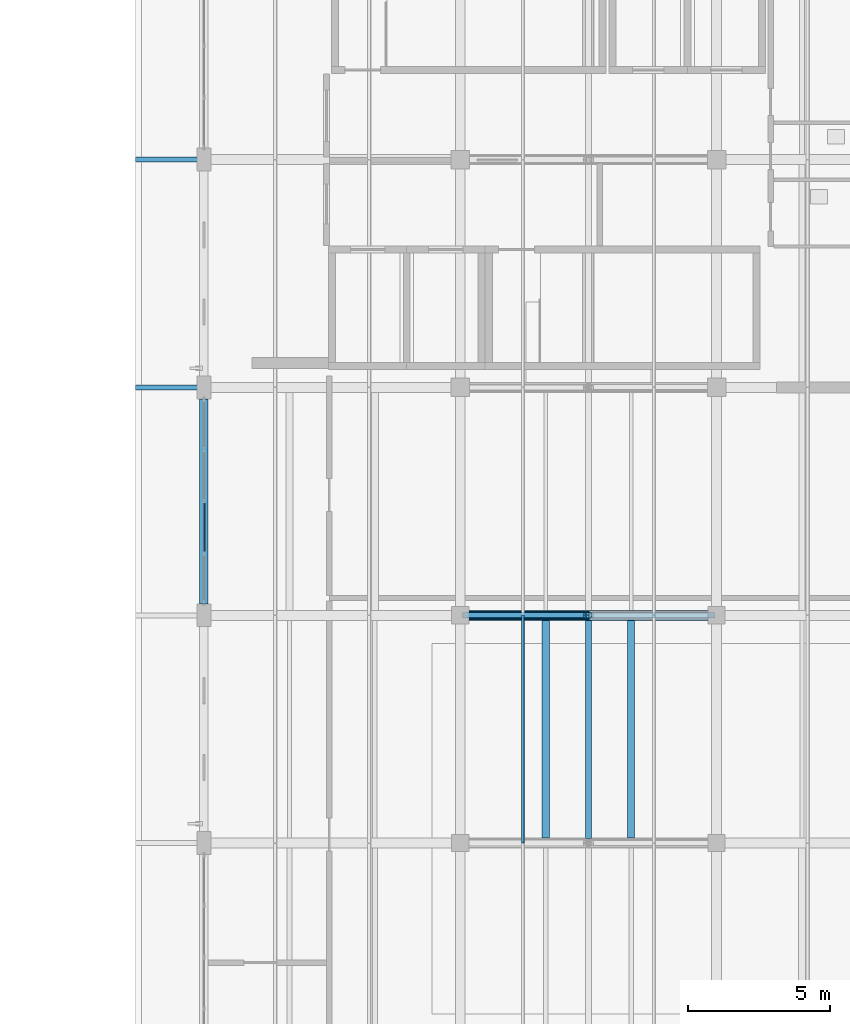
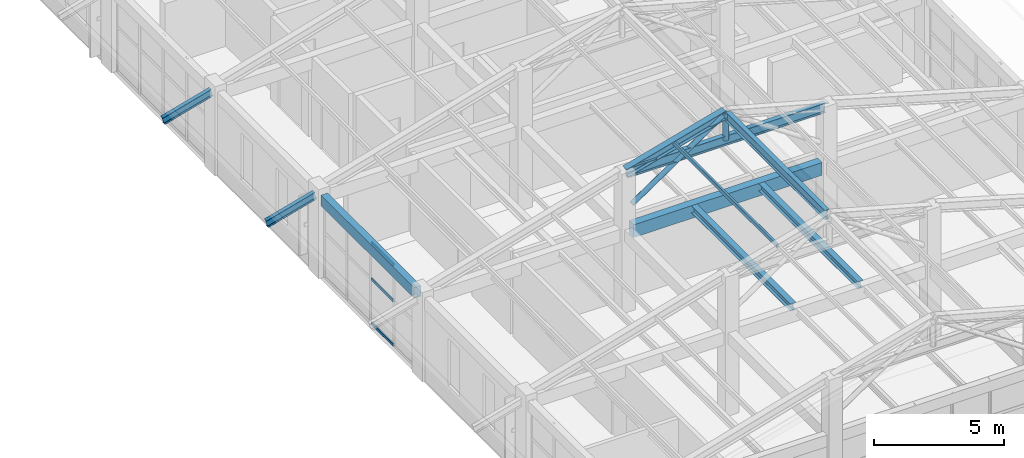
# One storey, part 15 of 58: 8 beams, 7 members, 1 element without a shape of its own.
"""IFC4 building model written with IfcOpenShell, lengths in metres."""

from ifc_helpers import new_model, si_unit, derived_unit, direction, frame, origin, origin_2d, place, context, subcontext, project, spatial, rectangle, hollow_rectangle, hollow_circle, i_section, extrude, material, material_profile, profile_set, type_object, element, aggregate, save


model = new_model("IFC4")

# Units and contexts
model_context = context("Model", 3, precision=1e-05, world=origin(), true_north=direction((0.0, 1.0)))
body_context = subcontext(model_context, "Body", "Model", "MODEL_VIEW")
ifc_project = project(units=[si_unit("LENGTHUNIT", "METRE"), si_unit("AREAUNIT", "SQUARE_METRE"), si_unit("VOLUMEUNIT", "CUBIC_METRE"), si_unit("PLANEANGLEUNIT", "RADIAN"), si_unit("MASSUNIT", "GRAM", prefix="KILO"), derived_unit("THERMALTRANSMITTANCEUNIT", [(si_unit("MASSUNIT", "GRAM", prefix="KILO"), 1), (si_unit("TIMEUNIT", "SECOND"), -3), (si_unit("THERMODYNAMICTEMPERATUREUNIT", "KELVIN"), -1)])], contexts=[model_context])

# Site, building, storey
site_placement = place(None, origin())
site = spatial("IfcSite", under=ifc_project, at=site_placement, CompositionType="ELEMENT")
building_placement = place(site_placement, origin())
building = spatial("IfcBuilding", under=site, at=building_placement, Name="Zhenchuan Archway Interchange", CompositionType="ELEMENT")
storey_placement = place(building_placement, frame((0.0, 0.0, 22.800048828125)))
storey = spatial("IfcBuildingStorey", under=building, at=storey_placement, Name="L05", CompositionType="ELEMENT", Elevation=22.800048828125)

# Beams
ifc_material_1 = material(Name="Concrete C40", Category="concrete")
ifc_material_profile_1 = material_profile(ifc_material_1, rectangle(XDim=0.35009765625, YDim=0.60009765625, at=origin_2d()), Name="RC 350x600")
ifc_profile_set_1 = profile_set([ifc_material_profile_1], Name="Concrete C40")
beam_type_1 = type_object("IfcBeamType", Name="BM_RC_350x600", PredefinedType="BEAM", material=ifc_profile_set_1)
beam_1_placement = place(storey_placement, frame((153.300048828125, 40.0, 3.619873046875), z_axis=(1.0, 0.0, 0.0), x_axis=(0.0, 1.0, 0.0)))
element("IfcBeam", 1, at=beam_1_placement, inside=storey, type_object=beam_type_1, Name="Beam F:18-19 (L05)", PredefinedType="BEAM", context=body_context, shape_type="SweptSolid", body=[
    extrude(rectangle(XDim=0.35009765625, YDim=0.60009765625, at=origin_2d()), origin(), (0.0, 0.0, 1.0), 8.39990234375),
])
ifc_material_2 = material(Name="Steel Q355", Category="steel")
ifc_material_profile_2 = material_profile(ifc_material_2, i_section(OverallWidth=0.175048828125, OverallDepth=0.35009765625, WebThickness=0.007080078125, FlangeThickness=0.010986328125, FilletRadius=0.013916015625, at=origin_2d()), Name="HN 350x175")
ifc_profile_set_2 = profile_set([ifc_material_profile_2], Name="Steel Q355")
beam_type_2 = type_object("IfcBeamType", Name="BM_STL_EAVE_HN350", PredefinedType="BEAM", material=ifc_profile_set_2)
for number, where, z_axis, x_axis, name in (
    (2, (143.820068359375, 48.0, 3.719970703125), (-0.963829493521, 0.0, -0.266519619201), (0.0, -1.0, 0.0), "Command wing west storm-eave bracket T4"),
    (3, (143.820068359375, 56.0, 3.719970703125), (-0.963829493521, 0.0, -0.266519619201), (0.0, -1.0, 0.0), "Command wing west storm-eave bracket T5"),
):
    element("IfcBeam", number, at=place(storey_placement, frame(where, z_axis=z_axis, x_axis=x_axis)), inside=storey, type_object=beam_type_2, Name=name, PredefinedType="BEAM", context=body_context, shape_type="SweptSolid", body=[
        extrude(i_section(OverallWidth=0.175048828125, OverallDepth=0.35009765625, WebThickness=0.007080078125, FlangeThickness=0.010986328125, FilletRadius=0.013916015625, at=origin_2d()), origin(), (0.0, 0.0, 1.0), 2.251708984375),
    ])
ifc_material_profile_3 = material_profile(ifc_material_2, i_section(OverallWidth=0.300048828125, OverallDepth=0.389892578125, WebThickness=0.010009765625, FlangeThickness=0.01611328125, FilletRadius=0.02001953125, at=origin_2d()), Name="HM 390x300")
ifc_profile_set_3 = profile_set([ifc_material_profile_3], Name="Steel Q355")
beam_type_3 = type_object("IfcBeamType", Name="BM_STL_HM390", PredefinedType="BEAM", material=ifc_profile_set_3)
beam_2_placement = place(storey_placement, frame((153.050048828125, 40.0, 6.419921875), z_axis=(0.964108539649, 0.0, 0.265508425055), x_axis=(0.0, 1.0, 0.0)))
element("IfcBeam", 4, at=beam_2_placement, inside=storey, type_object=beam_type_3, Name="ROOF TRUSS command wing T3 west apex rafter", PredefinedType="BEAM", context=body_context, shape_type="SweptSolid", body=[
    extrude(i_section(OverallWidth=0.300048828125, OverallDepth=0.389892578125, WebThickness=0.010009765625, FlangeThickness=0.01611328125, FilletRadius=0.02001953125, at=origin_2d()), origin(), (0.0, 0.0, 1.0), 4.5947265625),
])
ifc_material_profile_4 = material_profile(ifc_material_2, i_section(OverallWidth=0.199951171875, OverallDepth=0.449951171875, WebThickness=0.009033203125, FlangeThickness=0.013916015625, FilletRadius=0.01806640625, at=origin_2d()), Name="HN 450x200")
ifc_profile_set_4 = profile_set([ifc_material_profile_4], Name="Steel Q355")
beam_type_4 = type_object("IfcBeamType", Name="BM_STL_HN450", PredefinedType="BEAM", material=ifc_profile_set_4)
beam_3_placement = place(storey_placement, frame((157.5, 32.159912109375, 7.579833984375), z_axis=(0.0, 1.0, 0.0), x_axis=(-1.0, 0.0, 0.0)))
element("IfcBeam", 5, at=beam_3_placement, inside=storey, type_object=beam_type_4, Name="Command wing ridge girder 2", PredefinedType="BEAM", context=body_context, shape_type="SweptSolid", body=[
    extrude(i_section(OverallWidth=0.199951171875, OverallDepth=0.449951171875, WebThickness=0.009033203125, FlangeThickness=0.013916015625, FilletRadius=0.01806640625, at=origin_2d()), origin(), (0.0, 0.0, 1.0), 7.68017578125),
])

# Curtain wall, members
ifc_material_3 = material(Name="Anodised Aluminium", Category="aluminium")
curtain_wall_type = type_object("IfcCurtainWallType", Name="CW_UNIT_3", PredefinedType="NOTDEFINED", material=ifc_material_3)
curtain_wall_placement = place(storey_placement, origin())
curtain_wall = element("IfcCurtainWall", 6, at=curtain_wall_placement, inside=storey, type_object=curtain_wall_type, Name="Unitised curtain wall CW:L05:202", PredefinedType="NOTDEFINED")
ifc_material_profile_5 = material_profile(ifc_material_3, hollow_rectangle(XDim=0.06005859375, YDim=0.139892578125, WallThickness=0.00341796875, InnerFilletRadius=0.00341796875, OuterFilletRadius=0.007080078125, at=origin_2d()), Name="ALU 140x60x3.5")
ifc_profile_set_5 = profile_set([ifc_material_profile_5], Name="Anodised Aluminium")
member_type_1 = type_object("IfcMemberType", Name="CW_TRN_140", PredefinedType="USERDEFINED", material=ifc_profile_set_5)
member_1_placement = place(storey_placement, frame((144.0, 42.243896484375, 0.06005859375), z_axis=(0.0, 1.0, 0.0), x_axis=(-1.0, 0.0, 0.0)))
member_1 = element("IfcMember", 7, at=member_1_placement, type_object=member_type_1, Name="CW:L05:202 transom 1-1", ObjectType="TRANSOM", PredefinedType="USERDEFINED", context=body_context, shape_type="SweptSolid", body=[
    extrude(hollow_rectangle(XDim=0.06005859375, YDim=0.139892578125, WallThickness=0.00341796875, InnerFilletRadius=0.00341796875, OuterFilletRadius=0.007080078125, at=origin_2d()), origin(), (0.0, 0.0, 1.0), 1.696044921875),
])
member_2_placement = place(storey_placement, frame((144.0, 42.243896484375, 2.14501953125), z_axis=(0.0, 1.0, 0.0), x_axis=(-1.0, 0.0, 0.0)))
member_2 = element("IfcMember", 8, at=member_2_placement, type_object=member_type_1, Name="CW:L05:202 transom 1-2", ObjectType="TRANSOM", PredefinedType="USERDEFINED", context=body_context, shape_type="SweptSolid", body=[
    extrude(hollow_rectangle(XDim=0.06005859375, YDim=0.139892578125, WallThickness=0.00341796875, InnerFilletRadius=0.00341796875, OuterFilletRadius=0.007080078125, at=origin_2d()), origin(), (0.0, 0.0, 1.0), 1.696044921875),
])
member_3_placement = place(storey_placement, frame((144.0, 42.243896484375, 3.83984375), z_axis=(0.0, 1.0, 0.0), x_axis=(-1.0, 0.0, 0.0)))
member_3 = element("IfcMember", 9, at=member_3_placement, type_object=member_type_1, Name="CW:L05:202 transom 1-3", ObjectType="TRANSOM", PredefinedType="USERDEFINED", context=body_context, shape_type="SweptSolid", body=[
    extrude(hollow_rectangle(XDim=0.06005859375, YDim=0.139892578125, WallThickness=0.00341796875, InnerFilletRadius=0.00341796875, OuterFilletRadius=0.007080078125, at=origin_2d()), origin(), (0.0, 0.0, 1.0), 1.696044921875),
])
aggregate(curtain_wall, [member_1, member_2, member_3])

# Beams
ifc_material_profile_6 = material_profile(ifc_material_2, i_section(OverallWidth=0.25, OverallDepth=0.340087890625, WebThickness=0.009033203125, FlangeThickness=0.013916015625, FilletRadius=0.01806640625, at=origin_2d()), Name="HM 340x250")
ifc_profile_set_6 = profile_set([ifc_material_profile_6], Name="Steel Q355")
beam_type_5 = type_object("IfcBeamType", Name="JST_STL_HM340", PredefinedType="JOIST", material=ifc_profile_set_6)
for number, where, z_axis, x_axis, name in (
    (10, (156.0, 32.175048828125, 3.75), (0.0, 1.0, 0.0), (-1.0, 0.0, 0.0), "Secondary joist 18-19/E-F #1 (L05)"),
    (11, (159.0, 32.175048828125, 3.75), (0.0, 1.0, 0.0), (-1.0, 0.0, 0.0), "Secondary joist 18-19/E-F #2 (L05)"),
):
    element("IfcBeam", number, at=place(storey_placement, frame(where, z_axis=z_axis, x_axis=x_axis)), inside=storey, type_object=beam_type_5, Name=name, PredefinedType="JOIST", context=body_context, shape_type="SweptSolid", body=[
        extrude(i_section(OverallWidth=0.25, OverallDepth=0.340087890625, WebThickness=0.009033203125, FlangeThickness=0.013916015625, FilletRadius=0.01806640625, at=origin_2d()), origin(), (0.0, 0.0, 1.0), 7.64990234375),
    ])

# Members
ifc_material_profile_7 = material_profile(ifc_material_2, i_section(OverallWidth=0.199951171875, OverallDepth=0.449951171875, WebThickness=0.009033203125, FlangeThickness=0.013916015625, FilletRadius=0.01806640625, at=origin_2d()), Name="HN 450x200")
ifc_profile_set_7 = profile_set([ifc_material_profile_7], Name="Steel Q355")
member_type_2 = type_object("IfcMemberType", Name="MB_CHD_HN450", PredefinedType="CHORD", material=ifc_profile_set_7)
member_4_placement = place(storey_placement, frame((153.080078125, 40.0, 6.3798828125), z_axis=(1.0, 0.0, 0.0), x_axis=(0.0, 1.0, 0.0)))
element("IfcMember", 12, at=member_4_placement, inside=storey, type_object=member_type_2, Name="ROOF TRUSS command wing T3 ridge collar tie", PredefinedType="CHORD", context=body_context, shape_type="SweptSolid", body=[
    extrude(i_section(OverallWidth=0.199951171875, OverallDepth=0.449951171875, WebThickness=0.009033203125, FlangeThickness=0.013916015625, FilletRadius=0.01806640625, at=origin_2d()), origin(), (0.0, 0.0, 1.0), 8.83984375),
])
ifc_material_profile_8 = material_profile(ifc_material_2, hollow_circle(Radius=0.109619140625, WallThickness=0.008056640625, at=origin_2d()), Name="CHS 219x8")
ifc_profile_set_8 = profile_set([ifc_material_profile_8], Name="Steel Q355")
member_type_3 = type_object("IfcMemberType", Name="MB_CHS219", PredefinedType="BRACE", material=ifc_profile_set_8)
member_5_placement = place(storey_placement, frame((153.320068359375, 40.0, 4.800048828125), z_axis=(0.827937334182, 0.0, 0.560820622541), x_axis=(0.0, 1.0, 0.0)))
element("IfcMember", 13, at=member_5_placement, inside=storey, type_object=member_type_3, Name="ROOF TRUSS command wing T3 west apex diagonal", PredefinedType="BRACE", context=body_context, shape_type="SweptSolid", body=[
    extrude(hollow_circle(Radius=0.109619140625, WallThickness=0.008056640625, at=origin_2d()), origin(), (0.0, 0.0, 1.0), 4.903564453125),
])
ifc_material_profile_9 = material_profile(ifc_material_2, hollow_circle(Radius=0.12255859375, WallThickness=0.010009765625, at=origin_2d()), Name="CHS 245x10")
ifc_profile_set_9 = profile_set([ifc_material_profile_9], Name="Steel Q355")
member_type_4 = type_object("IfcMemberType", Name="MB_CHS245", PredefinedType="BRACE", material=ifc_profile_set_9)
member_6_placement = place(storey_placement, frame((157.5, 40.0, 6.3798828125), z_axis=(0.0, 0.0, 1.0), x_axis=(1.0, 0.0, 0.0)))
element("IfcMember", 14, at=member_6_placement, inside=storey, type_object=member_type_4, Name="ROOF TRUSS command wing T3 apex king-post", PredefinedType="BRACE", context=body_context, shape_type="SweptSolid", body=[
    extrude(hollow_circle(Radius=0.12255859375, WallThickness=0.010009765625, at=origin_2d()), origin(), (0.0, 0.0, 1.0), 1.280029296875),
])
ifc_material_profile_10 = material_profile(ifc_material_2, hollow_rectangle(XDim=0.10009765625, YDim=0.179931640625, WallThickness=0.006103515625, InnerFilletRadius=0.006103515625, OuterFilletRadius=0.011962890625, at=origin_2d()), Name="RHS 180x100x6")
ifc_profile_set_10 = profile_set([ifc_material_profile_10], Name="Steel Q355")
member_type_5 = type_object("IfcMemberType", Name="MB_RHS180", PredefinedType="PURLIN", material=ifc_profile_set_10)
member_7_placement = place(storey_placement, frame((155.199951171875, 32.008056640625, 7.02001953125), z_axis=(0.0, 1.0, 0.0), x_axis=(-1.0, 0.0, 0.0)))
element("IfcMember", 15, at=member_7_placement, inside=storey, type_object=member_type_5, Name="Command wing roof purlin B2-P3", PredefinedType="PURLIN", context=body_context, shape_type="SweptSolid", body=[
    extrude(hollow_rectangle(XDim=0.10009765625, YDim=0.179931640625, WallThickness=0.006103515625, InnerFilletRadius=0.006103515625, OuterFilletRadius=0.011962890625, at=origin_2d()), origin(), (0.0, 0.0, 1.0), 7.98388671875),
])

# Beam
ifc_material_profile_11 = material_profile(ifc_material_1, rectangle(XDim=0.300048828125, YDim=0.5, at=origin_2d()), Name="RC 300x500")
ifc_profile_set_11 = profile_set([ifc_material_profile_11], Name="Concrete C40")
beam_type_6 = type_object("IfcBeamType", Name="SP_RC_300x500", PredefinedType="SPANDREL", material=ifc_profile_set_11)
beam_4_placement = place(storey_placement, frame((144.0, 40.39990234375, 3.669921875), z_axis=(0.0, 1.0, 0.0), x_axis=(-1.0, 0.0, 0.0)))
element("IfcBeam", 16, at=beam_4_placement, inside=storey, type_object=beam_type_6, Name="Beam 17:F-G (L05)", PredefinedType="SPANDREL", context=body_context, shape_type="SweptSolid", body=[
    extrude(rectangle(XDim=0.300048828125, YDim=0.5, at=origin_2d()), origin(), (0.0, 0.0, 1.0), 7.2001953125),
])

save(model, "model.ifc")
